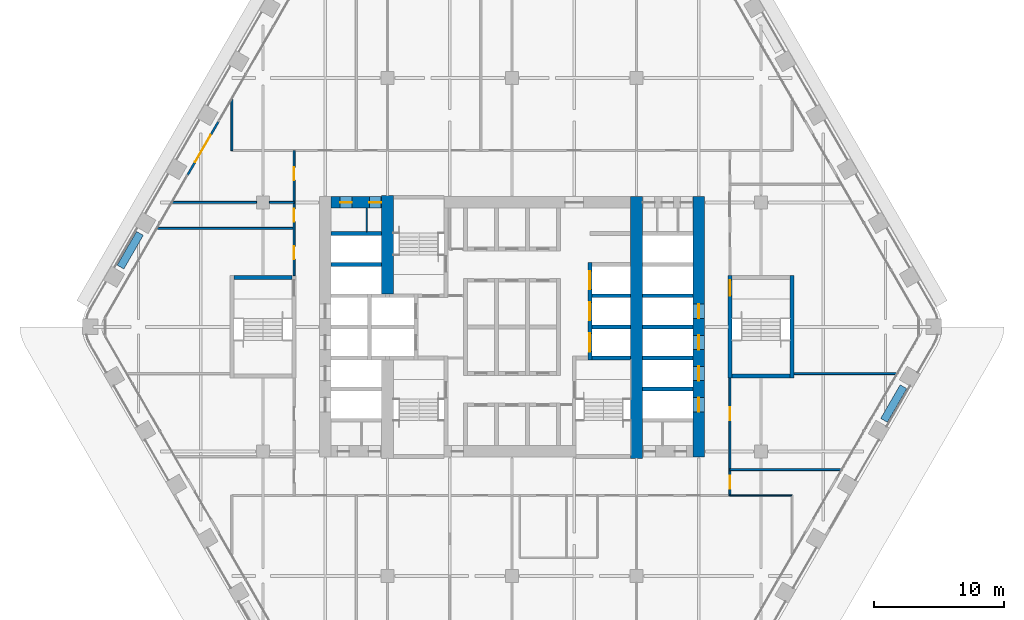
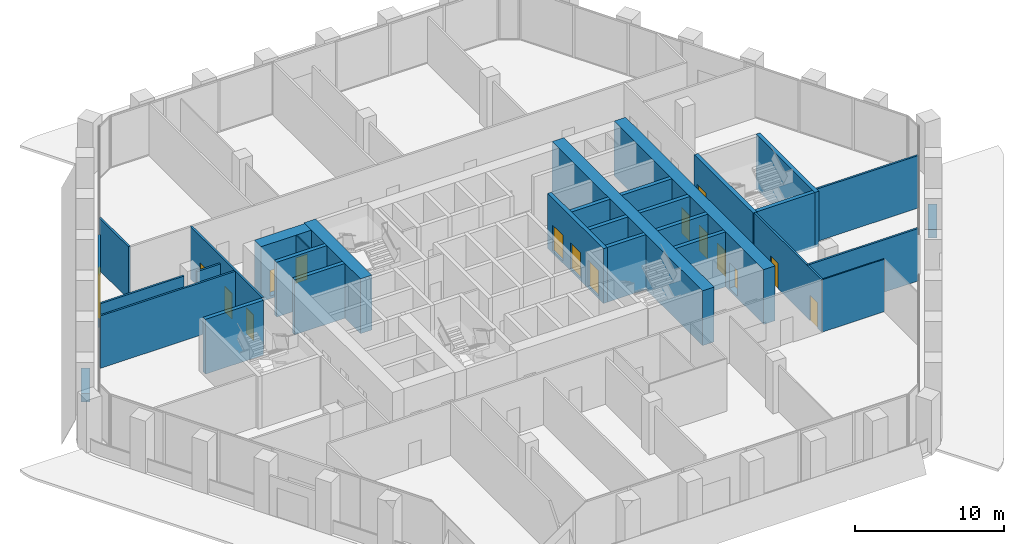
# One storey, part 15 of 23: 31 walls, 16 doors, 16 openings.
"""IFC4 building model written with IfcOpenShell, lengths in metres."""

from ifc_helpers import new_model, si_unit, direction, frame, frame_2d, origin, place, context, subcontext, project, spatial, rectangle, extrude, material, layer, layer_set, type_object, element, fill, save


model = new_model("IFC4")

# Units and contexts
model_context = context("Model", 3, precision=1e-05, world=origin(), true_north=direction((0.0, 1.0)))
body_context = subcontext(model_context, "Body", "Model", "MODEL_VIEW")
ifc_project = project(units=[si_unit("LENGTHUNIT", "METRE"), si_unit("AREAUNIT", "SQUARE_METRE"), si_unit("VOLUMEUNIT", "CUBIC_METRE"), si_unit("PLANEANGLEUNIT", "RADIAN"), si_unit("MASSUNIT", "GRAM", prefix="KILO")], contexts=[model_context])

# Site, building, storey
site_placement = place(None, origin())
site = spatial("IfcSite", under=ifc_project, at=site_placement, CompositionType="ELEMENT")
building_placement = place(site_placement, origin())
building = spatial("IfcBuilding", under=site, at=building_placement, Name="Kolab Exchange Tower", CompositionType="ELEMENT")
storey_placement = place(building_placement, frame((0.0, 0.0, 77.89990234375)))
storey = spatial("IfcBuildingStorey", under=building, at=storey_placement, Name="L14", CompositionType="ELEMENT", Elevation=77.89990234375)

# Wall, openings, doors
ifc_material_1 = material(Name="Concrete C70/85", Category="concrete")
ifc_layer_1 = layer(ifc_material_1, 0.89990234375)
ifc_layer_set_1 = layer_set([ifc_layer_1], Name="Concrete C70/85")
wall_type_1 = type_object("IfcWallType", Name="CORE WALL 900 C70/85", PredefinedType="SHEAR", material=ifc_layer_set_1)
wall_1_placement = place(storey_placement, frame((-13.949951171875, 9.60009765625, -0.199951171875), z_axis=(0.0, 0.0, 1.0), x_axis=(1.0, 0.0, 0.0)))
wall_1 = element("IfcWall", 1, at=wall_1_placement, inside=storey, type_object=wall_type_1, Name="wall/L14/core/051", PredefinedType="SHEAR", context=body_context, shape_type="SweptSolid", body=[
    extrude(rectangle(XDim=3.89990234375, YDim=0.89990234375, at=frame_2d((1.949951171875, 0.0))), origin(), (0.0, 0.0, 1.0), 4.5),
])
opening_1_placement = place(wall_1_placement, frame((0.699951171875, 0.0, 0.199951171875)))
opening_1 = element("IfcOpeningElement", 2, at=opening_1_placement, cuts=wall_1, Name="Opening D6-205", PredefinedType="OPENING", context=body_context, shape_type="SweptSolid", body=[
    extrude(rectangle(XDim=0.89990234375, YDim=2.10009765625, at=frame_2d((0.449951171875, 1.050048828125))), frame((0.0, 0.4599609375, 0.0), z_axis=(0.0, -1.0, 0.0), x_axis=(1.0, 0.0, 0.0)), (0.0, 0.0, 1.0), 0.919921875),
])
opening_2_placement = place(wall_1_placement, frame((2.949951171875, 0.0, 0.199951171875)))
opening_2 = element("IfcOpeningElement", 3, at=opening_2_placement, cuts=wall_1, Name="Opening D6-206", PredefinedType="OPENING", context=body_context, shape_type="SweptSolid", body=[
    extrude(rectangle(XDim=0.89990234375, YDim=2.10009765625, at=frame_2d((0.449951171875, 1.050048828125))), frame((0.0, 0.4599609375, 0.0), z_axis=(0.0, -1.0, 0.0), x_axis=(1.0, 0.0, 0.0)), (0.0, 0.0, 1.0), 0.919921875),
])
ifc_material_2 = material(Name="Steel S235", Category="steel")
door_type_1 = type_object("IfcDoorType", Name="CORE DOOR 900 EI 120", OperationType="SINGLE_SWING_LEFT", PredefinedType="DOOR", material=ifc_material_2)
door_1_placement = place(opening_1_placement, frame((0.89990234375, 0.0, 0.0), z_axis=(0.0, 0.0, 1.0), x_axis=(-1.0, 0.0, 0.0)))
door_1 = element("IfcDoor", 4, at=door_1_placement, inside=storey, type_object=door_type_1, Name="Service room door", OperationType="SINGLE_SWING_RIGHT", OverallHeight=2.10009765625, OverallWidth=0.89990234375, PredefinedType="DOOR", context=body_context, shape_type="SweptSolid", body=[
    extrude(rectangle(XDim=0.89990234375, YDim=2.10009765625, at=frame_2d((0.449951171875, 1.050048828125))), frame((0.0, 0.02490234375, 0.0), z_axis=(0.0, -1.0, 0.0), x_axis=(1.0, 0.0, 0.0)), (0.0, 0.0, 1.0), 0.050048828125),
])
fill(opening_1, door_1)
door_2_placement = place(opening_2_placement, frame((0.89990234375, 0.0, 0.0), z_axis=(0.0, 0.0, 1.0), x_axis=(-1.0, 0.0, 0.0)))
door_2 = element("IfcDoor", 5, at=door_2_placement, inside=storey, type_object=door_type_1, Name="Service room door", OperationType="SINGLE_SWING_LEFT", OverallHeight=2.10009765625, OverallWidth=0.89990234375, PredefinedType="DOOR", context=body_context, shape_type="SweptSolid", body=[
    extrude(rectangle(XDim=0.89990234375, YDim=2.10009765625, at=frame_2d((0.449951171875, 1.050048828125))), frame((0.0, 0.02490234375, 0.0), z_axis=(0.0, -1.0, 0.0), x_axis=(1.0, 0.0, 0.0)), (0.0, 0.0, 1.0), 0.050048828125),
])
fill(opening_2, door_2)

# Walls
wall_2_placement = place(storey_placement, frame((-9.60009765625, 2.550048828125, -0.199951171875), z_axis=(0.0, 0.0, 1.0), x_axis=(0.0, 1.0, 0.0)))
element("IfcWall", 6, at=wall_2_placement, inside=storey, type_object=wall_type_1, Name="wall/L14/core/062", PredefinedType="SHEAR", context=body_context, shape_type="SweptSolid", body=[
    extrude(rectangle(XDim=7.599853515625, YDim=0.89990234375, at=frame_2d((3.7998046875, 0.0))), origin(), (0.0, 0.0, 1.0), 4.5),
])
wall_3_placement = place(storey_placement, frame((9.60009765625, -10.14990234375, -0.199951171875), z_axis=(0.0, 0.0, 1.0), x_axis=(0.0, 1.0, 0.0)))
element("IfcWall", 7, at=wall_3_placement, inside=storey, type_object=wall_type_1, Name="wall/L14/core/080", PredefinedType="SHEAR", context=body_context, shape_type="SweptSolid", body=[
    extrude(rectangle(XDim=20.199951171875, YDim=0.89990234375, at=frame_2d((10.10009765625, 0.0))), origin(), (0.0, 0.0, 1.0), 4.5),
])

# Wall, openings, doors
wall_4_placement = place(storey_placement, frame((14.39990234375, -10.050048828125, -0.199951171875), z_axis=(0.0, 0.0, 1.0), x_axis=(0.0, 1.0, 0.0)))
wall_4 = element("IfcWall", 8, at=wall_4_placement, inside=storey, type_object=wall_type_1, Name="wall/L14/core/081", PredefinedType="SHEAR", context=body_context, shape_type="SweptSolid", body=[
    extrude(rectangle(XDim=20.10009765625, YDim=0.89990234375, at=frame_2d((10.050048828125, 0.0))), origin(), (0.0, 0.0, 1.0), 4.5),
])
opening_3_placement = place(wall_4_placement, frame((3.5, 0.0, 0.199951171875)))
opening_3 = element("IfcOpeningElement", 9, at=opening_3_placement, cuts=wall_4, Name="Opening LD1-069", PredefinedType="OPENING", context=body_context, shape_type="SweptSolid", body=[
    extrude(rectangle(XDim=1.10009765625, YDim=2.10009765625, at=frame_2d((0.550048828125, 1.050048828125))), frame((0.0, 0.4599609375, 0.0), z_axis=(0.0, -1.0, 0.0), x_axis=(1.0, 0.0, 0.0)), (0.0, 0.0, 1.0), 0.919921875),
])
opening_4_placement = place(wall_4_placement, frame((5.89990234375, 0.0, 0.199951171875)))
opening_4 = element("IfcOpeningElement", 10, at=opening_4_placement, cuts=wall_4, Name="Opening LD1-070", PredefinedType="OPENING", context=body_context, shape_type="SweptSolid", body=[
    extrude(rectangle(XDim=1.10009765625, YDim=2.10009765625, at=frame_2d((0.550048828125, 1.050048828125))), frame((0.0, 0.4599609375, 0.0), z_axis=(0.0, -1.0, 0.0), x_axis=(1.0, 0.0, 0.0)), (0.0, 0.0, 1.0), 0.919921875),
])
opening_5_placement = place(wall_4_placement, frame((8.300048828125, 0.0, 0.199951171875)))
opening_5 = element("IfcOpeningElement", 11, at=opening_5_placement, cuts=wall_4, Name="Opening LD1-071", PredefinedType="OPENING", context=body_context, shape_type="SweptSolid", body=[
    extrude(rectangle(XDim=1.10009765625, YDim=2.10009765625, at=frame_2d((0.550048828125, 1.050048828125))), frame((0.0, 0.4599609375, 0.0), z_axis=(0.0, -1.0, 0.0), x_axis=(1.0, 0.0, 0.0)), (0.0, 0.0, 1.0), 0.919921875),
])
opening_6_placement = place(wall_4_placement, frame((10.699951171875, 0.0, 0.199951171875)))
opening_6 = element("IfcOpeningElement", 12, at=opening_6_placement, cuts=wall_4, Name="Opening LD1-072", PredefinedType="OPENING", context=body_context, shape_type="SweptSolid", body=[
    extrude(rectangle(XDim=1.10009765625, YDim=2.10009765625, at=frame_2d((0.550048828125, 1.050048828125))), frame((0.0, 0.4599609375, 0.0), z_axis=(0.0, -1.0, 0.0), x_axis=(1.0, 0.0, 0.0)), (0.0, 0.0, 1.0), 0.919921875),
])
ifc_material_3 = material(Name="Stainless steel 316", Category="steel")
door_type_2 = type_object("IfcDoorType", Name="LANDING DOOR 1100 PASSENGER", OperationType="DOUBLE_DOOR_SLIDING", PredefinedType="DOOR", material=ifc_material_3)
door_3_placement = place(opening_3_placement, origin())
door_3 = element("IfcDoor", 13, at=door_3_placement, inside=storey, type_object=door_type_2, Name="Landing door LR1", OperationType="DOUBLE_DOOR_SLIDING", OverallHeight=2.10009765625, OverallWidth=1.10009765625, PredefinedType="DOOR", context=body_context, shape_type="SweptSolid", body=[
    extrude(rectangle(XDim=1.10009765625, YDim=2.10009765625, at=frame_2d((0.550048828125, 1.050048828125))), frame((0.0, 0.02490234375, 0.0), z_axis=(0.0, -1.0, 0.0), x_axis=(1.0, 0.0, 0.0)), (0.0, 0.0, 1.0), 0.050048828125),
])
fill(opening_3, door_3)
door_4_placement = place(opening_4_placement, origin())
door_4 = element("IfcDoor", 14, at=door_4_placement, inside=storey, type_object=door_type_2, Name="Landing door LR2", OperationType="DOUBLE_DOOR_SLIDING", OverallHeight=2.10009765625, OverallWidth=1.10009765625, PredefinedType="DOOR", context=body_context, shape_type="SweptSolid", body=[
    extrude(rectangle(XDim=1.10009765625, YDim=2.10009765625, at=frame_2d((0.550048828125, 1.050048828125))), frame((0.0, 0.02490234375, 0.0), z_axis=(0.0, -1.0, 0.0), x_axis=(1.0, 0.0, 0.0)), (0.0, 0.0, 1.0), 0.050048828125),
])
fill(opening_4, door_4)
door_5_placement = place(opening_5_placement, origin())
door_5 = element("IfcDoor", 15, at=door_5_placement, inside=storey, type_object=door_type_2, Name="Landing door LR3", OperationType="DOUBLE_DOOR_SLIDING", OverallHeight=2.10009765625, OverallWidth=1.10009765625, PredefinedType="DOOR", context=body_context, shape_type="SweptSolid", body=[
    extrude(rectangle(XDim=1.10009765625, YDim=2.10009765625, at=frame_2d((0.550048828125, 1.050048828125))), frame((0.0, 0.02490234375, 0.0), z_axis=(0.0, -1.0, 0.0), x_axis=(1.0, 0.0, 0.0)), (0.0, 0.0, 1.0), 0.050048828125),
])
fill(opening_5, door_5)
door_6_placement = place(opening_6_placement, origin())
door_6 = element("IfcDoor", 16, at=door_6_placement, inside=storey, type_object=door_type_2, Name="Landing door LR4", OperationType="DOUBLE_DOOR_SLIDING", OverallHeight=2.10009765625, OverallWidth=1.10009765625, PredefinedType="DOOR", context=body_context, shape_type="SweptSolid", body=[
    extrude(rectangle(XDim=1.10009765625, YDim=2.10009765625, at=frame_2d((0.550048828125, 1.050048828125))), frame((0.0, 0.02490234375, 0.0), z_axis=(0.0, -1.0, 0.0), x_axis=(1.0, 0.0, 0.0)), (0.0, 0.0, 1.0), 0.050048828125),
])
fill(opening_6, door_6)

# Wall, opening, door
ifc_material_4 = material(Name="Aluminium EN AW-6063 T6", Category="aluminium")
ifc_layer_2 = layer(ifc_material_4, 0.159912109375)
ifc_layer_set_2 = layer_set([ifc_layer_2], Name="Aluminium EN AW-6063 T6")
wall_type_2 = type_object("IfcWallType", Name="DOOR SURROUND WALL 160 ALUMINIUM FRAMED", PredefinedType="PARTITIONING", material=ifc_layer_set_2)
wall_5_placement = place(storey_placement, frame((-25.0166015625, 11.706787109375, 0.0), z_axis=(0.0, 0.0, 1.0), x_axis=(0.499978080042, 0.866038058908, 0.0)))
wall_5 = element("IfcWall", 17, at=wall_5_placement, inside=storey, type_object=wall_type_2, Name="Door surround wall", PredefinedType="PARTITIONING", context=body_context, shape_type="SweptSolid", body=[
    extrude(rectangle(XDim=4.739990234375, YDim=0.159912109375, at=frame_2d((2.3701171875, 0.0))), origin(), (0.0, 0.0, 1.0), 4.300048828125),
])
opening_7_placement = place(wall_5_placement, frame((1.169921875, 0.0, 0.0)))
opening_7 = element("IfcOpeningElement", 18, at=opening_7_placement, cuts=wall_5, Name="Opening GD1-039", PredefinedType="OPENING", context=body_context, shape_type="SweptSolid", body=[
    extrude(rectangle(XDim=2.39990234375, YDim=2.39990234375, at=frame_2d((1.199951171875, 1.199951171875))), frame((0.0, 0.08984375, 0.0), z_axis=(0.0, -1.0, 0.0), x_axis=(1.0, 0.0, 0.0)), (0.0, 0.0, 1.0), 0.179931640625),
])
door_type_3 = type_object("IfcDoorType", Name="LOGGIA SLIDING GLASS DOOR 2400 X 2400", OperationType="DOUBLE_DOOR_SINGLE_SWING", PredefinedType="DOOR", material=ifc_material_4)
door_7_placement = place(opening_7_placement, origin())
door_7 = element("IfcDoor", 19, at=door_7_placement, inside=storey, type_object=door_type_3, Name="Loggia door", OperationType="DOUBLE_DOOR_SLIDING", OverallHeight=2.39990234375, OverallWidth=2.39990234375, PredefinedType="DOOR", context=body_context, shape_type="SweptSolid", body=[
    extrude(rectangle(XDim=2.39990234375, YDim=2.39990234375, at=frame_2d((1.199951171875, 1.199951171875))), frame((0.0, 0.02490234375, 0.0), z_axis=(0.0, -1.0, 0.0), x_axis=(1.0, 0.0, 0.0)), (0.0, 0.0, 1.0), 0.050048828125),
])
fill(opening_7, door_7)

# Walls
ifc_material_5 = material(Name="Concrete C50/60", Category="concrete")
ifc_layer_3 = layer(ifc_material_5, 0.300048828125)
ifc_layer_set_3 = layer_set([ifc_layer_3], Name="Concrete C50/60")
wall_type_3 = type_object("IfcWallType", Name="LIFT SHAFT WALL 300 C50/60", PredefinedType="STANDARD", material=ifc_layer_set_3)
for number, where, z_axis, x_axis, name in (
    (20, (10.050048828125, -4.800048828125, -0.199951171875), (0.0, 0.0, 1.0), (1.0, 0.0, 0.0), "wall/L14/core/011"),
    (21, (10.050048828125, -2.39990234375, -0.199951171875), (0.0, 0.0, 1.0), (1.0, 0.0, 0.0), "wall/L14/core/023"),
):
    element("IfcWall", number, at=place(storey_placement, frame(where, z_axis=z_axis, x_axis=x_axis)), inside=storey, type_object=wall_type_3, Name=name, PredefinedType="STANDARD", context=body_context, shape_type="SweptSolid", body=[
        extrude(rectangle(XDim=3.89990234375, YDim=0.300048828125, at=frame_2d((1.949951171875, 0.0))), origin(), (0.0, 0.0, 1.0), 4.5),
    ])
wall_6_placement = place(storey_placement, frame((6.14990234375, 0.0, -0.199951171875), z_axis=(0.0, 0.0, 1.0), x_axis=(1.0, 0.0, 0.0)))
element("IfcWall", 22, at=wall_6_placement, inside=storey, type_object=wall_type_3, Name="wall/L14/core/029", PredefinedType="STANDARD", context=body_context, shape_type="SweptSolid", body=[
    extrude(rectangle(XDim=3.0, YDim=0.300048828125, at=frame_2d((1.5, 0.0))), origin(), (0.0, 0.0, 1.0), 4.5),
])
wall_7_placement = place(storey_placement, frame((10.050048828125, 0.0, -0.199951171875), z_axis=(0.0, 0.0, 1.0), x_axis=(1.0, 0.0, 0.0)))
element("IfcWall", 23, at=wall_7_placement, inside=storey, type_object=wall_type_3, Name="wall/L14/core/030", PredefinedType="STANDARD", context=body_context, shape_type="SweptSolid", body=[
    extrude(rectangle(XDim=3.89990234375, YDim=0.300048828125, at=frame_2d((1.949951171875, 0.0))), origin(), (0.0, 0.0, 1.0), 4.5),
])
wall_8_placement = place(storey_placement, frame((6.14990234375, 2.39990234375, -0.199951171875), z_axis=(0.0, 0.0, 1.0), x_axis=(1.0, 0.0, 0.0)))
element("IfcWall", 24, at=wall_8_placement, inside=storey, type_object=wall_type_3, Name="wall/L14/core/035", PredefinedType="STANDARD", context=body_context, shape_type="SweptSolid", body=[
    extrude(rectangle(XDim=3.0, YDim=0.300048828125, at=frame_2d((1.5, 0.0))), origin(), (0.0, 0.0, 1.0), 4.5),
])
for number, where, z_axis, x_axis, name in (
    (25, (10.050048828125, 2.39990234375, -0.199951171875), (0.0, 0.0, 1.0), (1.0, 0.0, 0.0), "wall/L14/core/036"),
    (26, (-13.949951171875, 4.800048828125, -0.199951171875), (0.0, 0.0, 1.0), (1.0, 0.0, 0.0), "wall/L14/core/042"),
    (27, (-13.949951171875, 7.199951171875, -0.199951171875), (0.0, 0.0, 1.0), (1.0, 0.0, 0.0), "wall/L14/core/048"),
):
    element("IfcWall", number, at=place(storey_placement, frame(where, z_axis=z_axis, x_axis=x_axis)), inside=storey, type_object=wall_type_3, Name=name, PredefinedType="STANDARD", context=body_context, shape_type="SweptSolid", body=[
        extrude(rectangle(XDim=3.89990234375, YDim=0.300048828125, at=frame_2d((1.949951171875, 0.0))), origin(), (0.0, 0.0, 1.0), 4.5),
    ])

# Wall, openings, doors
wall_9_placement = place(storey_placement, frame((6.0, -2.550048828125, -0.199951171875), z_axis=(0.0, 0.0, 1.0), x_axis=(0.0, 1.0, 0.0)))
wall_9 = element("IfcWall", 28, at=wall_9_placement, inside=storey, type_object=wall_type_3, Name="wall/L14/core/079", PredefinedType="STANDARD", context=body_context, shape_type="SweptSolid", body=[
    extrude(rectangle(XDim=7.5, YDim=0.300048828125, at=frame_2d((3.75, 0.0))), origin(), (0.0, 0.0, 1.0), 4.5),
])
opening_8_placement = place(wall_9_placement, frame((0.64990234375, 0.0, 0.199951171875)))
opening_8 = element("IfcOpeningElement", 29, at=opening_8_placement, cuts=wall_9, Name="Opening LD3-025", PredefinedType="OPENING", context=body_context, shape_type="SweptSolid", body=[
    extrude(rectangle(XDim=1.39990234375, YDim=2.10009765625, at=frame_2d((0.699951171875, 1.050048828125))), frame((0.0, 0.16015625, 0.0), z_axis=(0.0, -1.0, 0.0), x_axis=(1.0, 0.0, 0.0)), (0.0, 0.0, 1.0), 0.320068359375),
])
opening_9_placement = place(wall_9_placement, frame((3.050048828125, 0.0, 0.199951171875)))
opening_9 = element("IfcOpeningElement", 30, at=opening_9_placement, cuts=wall_9, Name="Opening LD3-026", PredefinedType="OPENING", context=body_context, shape_type="SweptSolid", body=[
    extrude(rectangle(XDim=1.39990234375, YDim=2.10009765625, at=frame_2d((0.699951171875, 1.050048828125))), frame((0.0, 0.16015625, 0.0), z_axis=(0.0, -1.0, 0.0), x_axis=(1.0, 0.0, 0.0)), (0.0, 0.0, 1.0), 0.320068359375),
])
opening_10_placement = place(wall_9_placement, frame((5.449951171875, 0.0, 0.199951171875)))
opening_10 = element("IfcOpeningElement", 31, at=opening_10_placement, cuts=wall_9, Name="Opening LD3-027", PredefinedType="OPENING", context=body_context, shape_type="SweptSolid", body=[
    extrude(rectangle(XDim=1.39990234375, YDim=2.10009765625, at=frame_2d((0.699951171875, 1.050048828125))), frame((0.0, 0.16015625, 0.0), z_axis=(0.0, -1.0, 0.0), x_axis=(1.0, 0.0, 0.0)), (0.0, 0.0, 1.0), 0.320068359375),
])
door_type_4 = type_object("IfcDoorType", Name="LANDING DOOR 1400 SERVICE", OperationType="DOUBLE_DOOR_SLIDING", PredefinedType="DOOR", material=ifc_material_3)
door_8_placement = place(opening_8_placement, origin())
door_8 = element("IfcDoor", 32, at=door_8_placement, inside=storey, type_object=door_type_4, Name="Landing door SV1", OperationType="DOUBLE_DOOR_SLIDING", OverallHeight=2.10009765625, OverallWidth=1.39990234375, PredefinedType="DOOR", context=body_context, shape_type="SweptSolid", body=[
    extrude(rectangle(XDim=1.39990234375, YDim=2.10009765625, at=frame_2d((0.699951171875, 1.050048828125))), frame((0.0, 0.02490234375, 0.0), z_axis=(0.0, -1.0, 0.0), x_axis=(1.0, 0.0, 0.0)), (0.0, 0.0, 1.0), 0.050048828125),
])
fill(opening_8, door_8)
door_9_placement = place(opening_9_placement, origin())
door_9 = element("IfcDoor", 33, at=door_9_placement, inside=storey, type_object=door_type_4, Name="Landing door SV2", OperationType="DOUBLE_DOOR_SLIDING", OverallHeight=2.10009765625, OverallWidth=1.39990234375, PredefinedType="DOOR", context=body_context, shape_type="SweptSolid", body=[
    extrude(rectangle(XDim=1.39990234375, YDim=2.10009765625, at=frame_2d((0.699951171875, 1.050048828125))), frame((0.0, 0.02490234375, 0.0), z_axis=(0.0, -1.0, 0.0), x_axis=(1.0, 0.0, 0.0)), (0.0, 0.0, 1.0), 0.050048828125),
])
fill(opening_9, door_9)
door_10_placement = place(opening_10_placement, origin())
door_10 = element("IfcDoor", 34, at=door_10_placement, inside=storey, type_object=door_type_4, Name="Landing door SV3", OperationType="DOUBLE_DOOR_SLIDING", OverallHeight=2.10009765625, OverallWidth=1.39990234375, PredefinedType="DOOR", context=body_context, shape_type="SweptSolid", body=[
    extrude(rectangle(XDim=1.39990234375, YDim=2.10009765625, at=frame_2d((0.699951171875, 1.050048828125))), frame((0.0, 0.02490234375, 0.0), z_axis=(0.0, -1.0, 0.0), x_axis=(1.0, 0.0, 0.0)), (0.0, 0.0, 1.0), 0.050048828125),
])
fill(opening_10, door_10)

# Walls
ifc_material_6 = material(Name="Gypsum board", Category="gypsum")
ifc_layer_4 = layer(ifc_material_6, 0.10009765625)
ifc_layer_set_4 = layer_set([ifc_layer_4], Name="Gypsum board")
wall_type_4 = type_object("IfcWallType", Name="PARTITION 100", PredefinedType="PARTITIONING", material=ifc_layer_set_4)
wall_10_placement = place(storey_placement, frame((-11.199951171875, 7.35009765625, 0.0), z_axis=(0.0, 0.0, 1.0), x_axis=(0.0, 1.0, 0.0)))
element("IfcWall", 35, at=wall_10_placement, inside=storey, type_object=wall_type_4, Name="Partition 025", PredefinedType="PARTITIONING", context=body_context, shape_type="SweptSolid", body=[
    extrude(rectangle(XDim=1.7998046875, YDim=0.10009765625, at=frame_2d((0.89990234375, 0.0))), origin(), (0.0, 0.0, 1.0), 4.300048828125),
])
wall_11_placement = place(storey_placement, frame((16.800048828125, -13.0, 0.0), z_axis=(0.0, 0.0, 1.0), x_axis=(1.0, 0.0, 0.0)))
element("IfcWall", 36, at=wall_11_placement, inside=storey, type_object=wall_type_4, Name="Partition 034", PredefinedType="PARTITIONING", context=body_context, shape_type="SweptSolid", body=[
    extrude(rectangle(XDim=4.800048828125, YDim=0.10009765625, at=frame_2d((2.39990234375, 0.0))), origin(), (0.0, 0.0, 1.0), 4.300048828125),
])

# Wall, openings, doors
ifc_layer_5 = layer(ifc_material_6, 0.14990234375)
ifc_layer_set_5 = layer_set([ifc_layer_5], Name="Gypsum board")
wall_type_5 = type_object("IfcWallType", Name="PARTITION 150 FIRE-RATED", PredefinedType="PARTITIONING", material=ifc_layer_set_5)
wall_12_placement = place(storey_placement, frame((16.800048828125, -13.0, 0.0), z_axis=(0.0, 0.0, 1.0), x_axis=(0.0, 1.0, 0.0)))
wall_12 = element("IfcWall", 37, at=wall_12_placement, inside=storey, type_object=wall_type_5, Name="Partition 002", PredefinedType="PARTITIONING", context=body_context, shape_type="SweptSolid", body=[
    extrude(rectangle(XDim=9.050048828125, YDim=0.14990234375, at=frame_2d((4.52490234375, 0.0))), origin(), (0.0, 0.0, 1.0), 4.300048828125),
])
opening_11_placement = place(wall_12_placement, frame((0.52490234375, 0.0, 0.0)))
opening_11 = element("IfcOpeningElement", 38, at=opening_11_placement, cuts=wall_12, Name="Opening D1-212", PredefinedType="OPENING", context=body_context, shape_type="SweptSolid", body=[
    extrude(rectangle(XDim=1.0, YDim=2.10009765625, at=frame_2d((0.5, 1.050048828125))), frame((0.0, 0.0849609375, 0.0), z_axis=(0.0, -1.0, 0.0), x_axis=(1.0, 0.0, 0.0)), (0.0, 0.0, 1.0), 0.169921875),
])
opening_12_placement = place(wall_12_placement, frame((5.800048828125, 0.0, 0.0)))
opening_12 = element("IfcOpeningElement", 39, at=opening_12_placement, cuts=wall_12, Name="Opening D1-213", PredefinedType="OPENING", context=body_context, shape_type="SweptSolid", body=[
    extrude(rectangle(XDim=1.0, YDim=2.10009765625, at=frame_2d((0.5, 1.050048828125))), frame((0.0, 0.0849609375, 0.0), z_axis=(0.0, -1.0, 0.0), x_axis=(1.0, 0.0, 0.0)), (0.0, 0.0, 1.0), 0.169921875),
])
door_type_5 = type_object("IfcDoorType", Name="FLUSH DOOR 1000 FD60", OperationType="SINGLE_SWING_LEFT", PredefinedType="DOOR", material=ifc_material_2)
door_11_placement = place(opening_11_placement, frame((1.0, 0.0, 0.0), z_axis=(0.0, 0.0, 1.0), x_axis=(-1.0, 0.0, 0.0)))
door_11 = element("IfcDoor", 40, at=door_11_placement, inside=storey, type_object=door_type_5, Name="Door L14-062", OperationType="SINGLE_SWING_RIGHT", OverallHeight=2.10009765625, OverallWidth=1.0, PredefinedType="DOOR", context=body_context, shape_type="SweptSolid", body=[
    extrude(rectangle(XDim=1.0, YDim=2.10009765625, at=frame_2d((0.5, 1.050048828125))), frame((0.0, 0.02490234375, 0.0), z_axis=(0.0, -1.0, 0.0), x_axis=(1.0, 0.0, 0.0)), (0.0, 0.0, 1.0), 0.050048828125),
])
fill(opening_11, door_11)
door_12_placement = place(opening_12_placement, frame((1.0, 0.0, 0.0), z_axis=(0.0, 0.0, 1.0), x_axis=(-1.0, 0.0, 0.0)))
door_12 = element("IfcDoor", 41, at=door_12_placement, inside=storey, type_object=door_type_5, Name="Door L14-063", OperationType="SINGLE_SWING_RIGHT", OverallHeight=2.10009765625, OverallWidth=1.0, PredefinedType="DOOR", context=body_context, shape_type="SweptSolid", body=[
    extrude(rectangle(XDim=1.0, YDim=2.10009765625, at=frame_2d((0.5, 1.050048828125))), frame((0.0, 0.02490234375, 0.0), z_axis=(0.0, -1.0, 0.0), x_axis=(1.0, 0.0, 0.0)), (0.0, 0.0, 1.0), 0.050048828125),
])
fill(opening_12, door_12)

wall_13_placement = place(storey_placement, frame((-16.800048828125, 3.949951171875, 0.0), z_axis=(0.0, 0.0, 1.0), x_axis=(0.0, 1.0, 0.0)))
wall_13 = element("IfcWall", 42, at=wall_13_placement, inside=storey, type_object=wall_type_5, Name="Partition 030", PredefinedType="PARTITIONING", context=body_context, shape_type="SweptSolid", body=[
    extrude(rectangle(XDim=9.650146484375, YDim=0.14990234375, at=frame_2d((4.8251953125, 0.0))), origin(), (0.0, 0.0, 1.0), 4.300048828125),
])
opening_13_placement = place(wall_13_placement, frame((1.25, 0.0, 0.0)))
opening_13 = element("IfcOpeningElement", 43, at=opening_13_placement, cuts=wall_13, Name="Opening D1-218", PredefinedType="OPENING", context=body_context, shape_type="SweptSolid", body=[
    extrude(rectangle(XDim=1.0, YDim=2.10009765625, at=frame_2d((0.5, 1.050048828125))), frame((0.0, 0.0849609375, 0.0), z_axis=(0.0, -1.0, 0.0), x_axis=(1.0, 0.0, 0.0)), (0.0, 0.0, 1.0), 0.169921875),
])
opening_14_placement = place(wall_13_placement, frame((4.14990234375, 0.0, 0.0)))
opening_14 = element("IfcOpeningElement", 44, at=opening_14_placement, cuts=wall_13, Name="Opening D1-219", PredefinedType="OPENING", context=body_context, shape_type="SweptSolid", body=[
    extrude(rectangle(XDim=1.0, YDim=2.10009765625, at=frame_2d((0.5, 1.050048828125))), frame((0.0, 0.0849609375, 0.0), z_axis=(0.0, -1.0, 0.0), x_axis=(1.0, 0.0, 0.0)), (0.0, 0.0, 1.0), 0.169921875),
])
opening_15_placement = place(wall_13_placement, frame((7.35009765625, 0.0, 0.0)))
opening_15 = element("IfcOpeningElement", 45, at=opening_15_placement, cuts=wall_13, Name="Opening D1-220", PredefinedType="OPENING", context=body_context, shape_type="SweptSolid", body=[
    extrude(rectangle(XDim=1.0, YDim=2.10009765625, at=frame_2d((0.5, 1.050048828125))), frame((0.0, 0.0849609375, 0.0), z_axis=(0.0, -1.0, 0.0), x_axis=(1.0, 0.0, 0.0)), (0.0, 0.0, 1.0), 0.169921875),
])
door_13_placement = place(opening_13_placement, origin())
door_13 = element("IfcDoor", 46, at=door_13_placement, inside=storey, type_object=door_type_5, Name="Door L14-068", OperationType="SINGLE_SWING_RIGHT", OverallHeight=2.10009765625, OverallWidth=1.0, PredefinedType="DOOR", context=body_context, shape_type="SweptSolid", body=[
    extrude(rectangle(XDim=1.0, YDim=2.10009765625, at=frame_2d((0.5, 1.050048828125))), frame((0.0, 0.02490234375, 0.0), z_axis=(0.0, -1.0, 0.0), x_axis=(1.0, 0.0, 0.0)), (0.0, 0.0, 1.0), 0.050048828125),
])
fill(opening_13, door_13)
door_14_placement = place(opening_14_placement, origin())
door_14 = element("IfcDoor", 47, at=door_14_placement, inside=storey, type_object=door_type_5, Name="Door L14-069", OperationType="SINGLE_SWING_RIGHT", OverallHeight=2.10009765625, OverallWidth=1.0, PredefinedType="DOOR", context=body_context, shape_type="SweptSolid", body=[
    extrude(rectangle(XDim=1.0, YDim=2.10009765625, at=frame_2d((0.5, 1.050048828125))), frame((0.0, 0.02490234375, 0.0), z_axis=(0.0, -1.0, 0.0), x_axis=(1.0, 0.0, 0.0)), (0.0, 0.0, 1.0), 0.050048828125),
])
fill(opening_14, door_14)
door_15_placement = place(opening_15_placement, origin())
door_15 = element("IfcDoor", 48, at=door_15_placement, inside=storey, type_object=door_type_5, Name="Door L14-070", OperationType="SINGLE_SWING_RIGHT", OverallHeight=2.10009765625, OverallWidth=1.0, PredefinedType="DOOR", context=body_context, shape_type="SweptSolid", body=[
    extrude(rectangle(XDim=1.0, YDim=2.10009765625, at=frame_2d((0.5, 1.050048828125))), frame((0.0, 0.02490234375, 0.0), z_axis=(0.0, -1.0, 0.0), x_axis=(1.0, 0.0, 0.0)), (0.0, 0.0, 1.0), 0.050048828125),
])
fill(opening_15, door_15)

# Walls
wall_14_placement = place(storey_placement, frame((-21.60009765625, 13.60009765625, 0.0), z_axis=(0.0, 0.0, 1.0), x_axis=(0.0, 1.0, 0.0)))
element("IfcWall", 49, at=wall_14_placement, inside=storey, type_object=wall_type_5, Name="Partition 032", PredefinedType="PARTITIONING", context=body_context, shape_type="SweptSolid", body=[
    extrude(rectangle(XDim=3.944580078125, YDim=0.14990234375, at=frame_2d((1.97216796875, 0.0))), origin(), (0.0, 0.0, 1.0), 4.300048828125),
])
wall_15_placement = place(storey_placement, frame((16.800048828125, -11.0, 0.0), z_axis=(0.0, 0.0, 1.0), x_axis=(1.0, 0.0, 0.0)))
element("IfcWall", 50, at=wall_15_placement, inside=storey, type_object=wall_type_5, Name="Partition 036", PredefinedType="PARTITIONING", context=body_context, shape_type="SweptSolid", body=[
    extrude(rectangle(XDim=8.578369140625, YDim=0.14990234375, at=frame_2d((4.2890625, 0.0))), origin(), (0.0, 0.0, 1.0), 4.300048828125),
])
wall_16_placement = place(storey_placement, frame((21.75, -3.60009765625, 0.0), z_axis=(0.0, 0.0, 1.0), x_axis=(1.0, 0.0, 0.0)))
element("IfcWall", 51, at=wall_16_placement, inside=storey, type_object=wall_type_5, Name="Partition 041", PredefinedType="PARTITIONING", context=body_context, shape_type="SweptSolid", body=[
    extrude(rectangle(XDim=7.90087890625, YDim=0.14990234375, at=frame_2d((3.950439453125, 0.0))), origin(), (0.0, 0.0, 1.0), 4.300048828125),
])
wall_17_placement = place(storey_placement, frame((-27.341552734375, 7.60009765625, 0.0), z_axis=(0.0, 0.0, 1.0), x_axis=(1.0, 0.0, 0.0)))
element("IfcWall", 52, at=wall_17_placement, inside=storey, type_object=wall_type_5, Name="Partition 043", PredefinedType="PARTITIONING", context=body_context, shape_type="SweptSolid", body=[
    extrude(rectangle(XDim=10.54150390625, YDim=0.14990234375, at=frame_2d((5.270751953125, 0.0))), origin(), (0.0, 0.0, 1.0), 4.300048828125),
])
wall_18_placement = place(storey_placement, frame((-26.186767578125, 9.60009765625, 0.0), z_axis=(0.0, 0.0, 1.0), x_axis=(1.0, 0.0, 0.0)))
element("IfcWall", 53, at=wall_18_placement, inside=storey, type_object=wall_type_5, Name="Partition 044", PredefinedType="PARTITIONING", context=body_context, shape_type="SweptSolid", body=[
    extrude(rectangle(XDim=6.48681640625, YDim=0.14990234375, at=frame_2d((3.243408203125, 0.0))), origin(), (0.0, 0.0, 1.0), 3.692138671875),
])
wall_19_placement = place(storey_placement, frame((-18.699951171875, 9.60009765625, 0.0), z_axis=(0.0, 0.0, 1.0), x_axis=(1.0, 0.0, 0.0)))
element("IfcWall", 54, at=wall_19_placement, inside=storey, type_object=wall_type_5, Name="Partition 045", PredefinedType="PARTITIONING", context=body_context, shape_type="SweptSolid", body=[
    extrude(rectangle(XDim=1.89990234375, YDim=0.14990234375, at=frame_2d((0.949951171875, 0.0))), origin(), (0.0, 0.0, 1.0), 3.692138671875),
])
ifc_material_7 = material(Name="Granite facing", Category="masonry")
ifc_layer_6 = layer(ifc_material_7, 0.0400390625)
ifc_material_8 = material(Name="Concrete C40/50 precast", Category="concrete")
ifc_layer_7 = layer(ifc_material_8, 0.56005859375)
ifc_layer_set_6 = layer_set([ifc_layer_6, ifc_layer_7], Name="Concrete C40/50 precast")
wall_type_6 = type_object("IfcWallType", Name="PLANTER BOX 600 X 700 SOIL DEPTH 550", PredefinedType="USERDEFINED", material=ifc_layer_set_6)
for number, where, z_axis, x_axis, name in (
    (55, (30.18701171875, -4.611328125, 0.0), (0.0, 0.0, 1.0), (-0.499990139034, -0.866031096941, 0.0), "Planter"),
    (56, (-30.18701171875, 4.611328125, 0.0), (0.0, 0.0, 1.0), (0.499990139034, 0.866031096941, 0.0), "Planter"),
):
    element("IfcWall", number, at=place(storey_placement, frame(where, z_axis=z_axis, x_axis=x_axis)), inside=storey, type_object=wall_type_6, Name=name, ObjectType="PLANTER", PredefinedType="USERDEFINED", context=body_context, shape_type="SweptSolid", body=[
        extrude(rectangle(XDim=3.0, YDim=0.60009765625, at=frame_2d((1.5, 0.0))), origin(), (0.0, 0.0, 1.0), 0.7001953125),
    ])
ifc_layer_8 = layer(ifc_material_5, 0.300048828125)
ifc_layer_set_7 = layer_set([ifc_layer_8], Name="Concrete C50/60")
wall_type_7 = type_object("IfcWallType", Name="STAIR ENCLOSURE WALL 300 C50/60", PredefinedType="STANDARD", material=ifc_layer_set_7)
wall_20_placement = place(storey_placement, frame((16.949951171875, -3.800048828125, -0.199951171875), z_axis=(0.0, 0.0, 1.0), x_axis=(1.0, 0.0, 0.0)))
element("IfcWall", 57, at=wall_20_placement, inside=storey, type_object=wall_type_7, Name="wall/L14/core/013", PredefinedType="STANDARD", context=body_context, shape_type="SweptSolid", body=[
    extrude(rectangle(XDim=4.5, YDim=0.300048828125, at=frame_2d((2.25, 0.0))), origin(), (0.0, 0.0, 1.0), 4.5),
])
wall_21_placement = place(storey_placement, frame((6.14990234375, -2.39990234375, -0.199951171875), z_axis=(0.0, 0.0, 1.0), x_axis=(1.0, 0.0, 0.0)))
element("IfcWall", 58, at=wall_21_placement, inside=storey, type_object=wall_type_7, Name="wall/L14/core/022", PredefinedType="STANDARD", context=body_context, shape_type="SweptSolid", body=[
    extrude(rectangle(XDim=3.0, YDim=0.300048828125, at=frame_2d((1.5, 0.0))), origin(), (0.0, 0.0, 1.0), 4.5),
])
wall_22_placement = place(storey_placement, frame((-21.449951171875, 3.800048828125, -0.199951171875), z_axis=(0.0, 0.0, 1.0), x_axis=(1.0, 0.0, 0.0)))
element("IfcWall", 59, at=wall_22_placement, inside=storey, type_object=wall_type_7, Name="wall/L14/core/040", PredefinedType="STANDARD", context=body_context, shape_type="SweptSolid", body=[
    extrude(rectangle(XDim=4.5, YDim=0.300048828125, at=frame_2d((2.25, 0.0))), origin(), (0.0, 0.0, 1.0), 4.5),
])

# Wall, opening, door
wall_23_placement = place(storey_placement, frame((16.800048828125, -3.949951171875, -0.199951171875), z_axis=(0.0, 0.0, 1.0), x_axis=(0.0, 1.0, 0.0)))
wall_23 = element("IfcWall", 60, at=wall_23_placement, inside=storey, type_object=wall_type_7, Name="wall/L14/core/082", PredefinedType="STANDARD", context=body_context, shape_type="SweptSolid", body=[
    extrude(rectangle(XDim=7.89990234375, YDim=0.300048828125, at=frame_2d((3.949951171875, 0.0))), origin(), (0.0, 0.0, 1.0), 4.5),
])
opening_16_placement = place(wall_23_placement, frame((6.35009765625, 0.0, 0.199951171875)))
opening_16 = element("IfcOpeningElement", 61, at=opening_16_placement, cuts=wall_23, Name="Opening D4-047", PredefinedType="OPENING", context=body_context, shape_type="SweptSolid", body=[
    extrude(rectangle(XDim=1.199951171875, YDim=2.10009765625, at=frame_2d((0.60009765625, 1.050048828125))), frame((0.0, 0.16015625, 0.0), z_axis=(0.0, -1.0, 0.0), x_axis=(1.0, 0.0, 0.0)), (0.0, 0.0, 1.0), 0.320068359375),
])
door_type_6 = type_object("IfcDoorType", Name="STAIR DOOR 1200 EI 120", OperationType="SINGLE_SWING_LEFT", PredefinedType="DOOR", material=ifc_material_2)
door_16_placement = place(opening_16_placement, frame((1.199951171875, 0.0, 0.0), z_axis=(0.0, 0.0, 1.0), x_axis=(-1.0, 0.0, 0.0)))
door_16 = element("IfcDoor", 62, at=door_16_placement, inside=storey, type_object=door_type_6, Name="Stair 4 door", OperationType="SINGLE_SWING_RIGHT", OverallHeight=2.10009765625, OverallWidth=1.199951171875, PredefinedType="DOOR", context=body_context, shape_type="SweptSolid", body=[
    extrude(rectangle(XDim=1.199951171875, YDim=2.10009765625, at=frame_2d((0.60009765625, 1.050048828125))), frame((0.0, 0.02490234375, 0.0), z_axis=(0.0, -1.0, 0.0), x_axis=(1.0, 0.0, 0.0)), (0.0, 0.0, 1.0), 0.050048828125),
])
fill(opening_16, door_16)

# Wall
wall_24_placement = place(storey_placement, frame((21.60009765625, -3.949951171875, -0.199951171875), z_axis=(0.0, 0.0, 1.0), x_axis=(0.0, 1.0, 0.0)))
element("IfcWall", 63, at=wall_24_placement, inside=storey, type_object=wall_type_7, Name="wall/L14/core/083", PredefinedType="STANDARD", context=body_context, shape_type="SweptSolid", body=[
    extrude(rectangle(XDim=7.89990234375, YDim=0.300048828125, at=frame_2d((3.949951171875, 0.0))), origin(), (0.0, 0.0, 1.0), 4.5),
])

save(model, "model.ifc")
